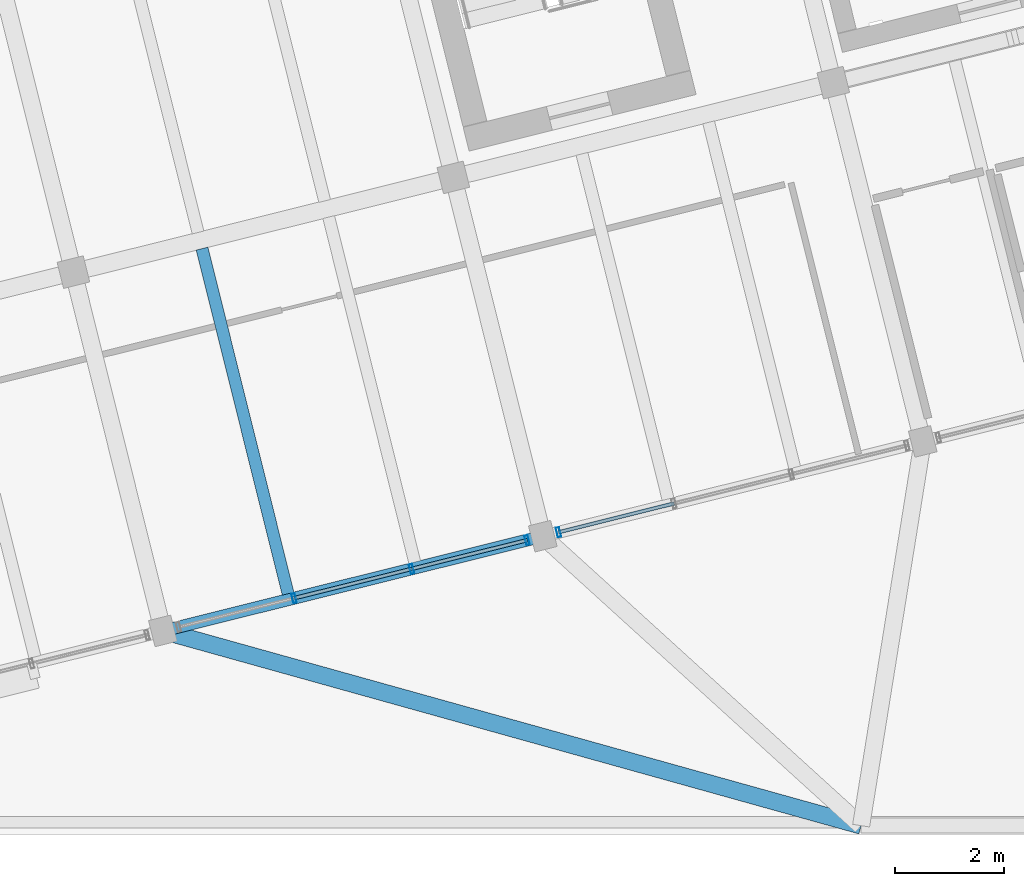
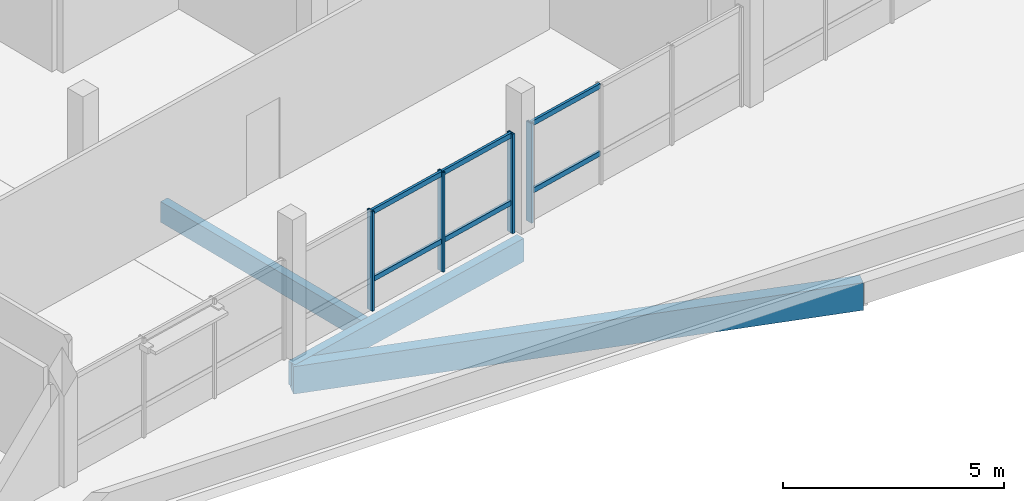
# One storey, part 6 of 37: 10 members, 3 beams, 2 elements without a shape of their own.
"""IFC4 building model written with IfcOpenShell, lengths in metres."""

import ifcopenshell
import ifcopenshell.guid

model = None  # the IFC model being written
_history = None  # IfcOwnerHistory: only IFC2X3 demands one
_inside = {}  # id of a spatial element -> (the spatial element, [elements in it])
_under = {}  # id of a project, library or spatial element -> (it, [spatial elements below it])
_declared = {}  # id of a project -> (the project, [libraries it declares])
_typed = {}  # id of a type object -> (the type object, [elements of that type])
_made_of = {}  # id of a material, layer set ... -> (it, [elements and type objects made of it])


def new_model(schema):
    """Start an empty IFC model of exactly this schema.

    Asked for "IFC4X3", IfcOpenShell would pick the latest addendum, in which some entities
    have other attributes; the version numbers below select the first issue.
    IFC2X3 requires an IfcOwnerHistory on every rooted entity: one is made here for all.
    """
    global model, _history
    if schema == "IFC4X3":
        model = ifcopenshell.file(schema_version=(4, 3, 0, 0))
    else:
        model = ifcopenshell.file(schema=schema)
    _inside.clear()
    _under.clear()
    _declared.clear()
    _typed.clear()
    _made_of.clear()
    _history = None
    if model.schema == "IFC2X3":
        org = make("IfcOrganization", Name="unknown")
        user = make(
            "IfcPersonAndOrganization",
            ThePerson=make("IfcPerson", FamilyName="unknown"),
            TheOrganization=org,
        )
        app = make(
            "IfcApplication",
            ApplicationDeveloper=org,
            Version="unknown",
            ApplicationFullName="unknown",
            ApplicationIdentifier="unknown",
        )
        _history = make(
            "IfcOwnerHistory",
            OwningUser=user,
            OwningApplication=app,
            ChangeAction="ADDED",
            CreationDate=0,
        )
    return model


def make(cls, **values):
    """One entity of the class cls with the attributes given. An attribute that is None is left unset."""
    return model.create_entity(
        cls, **{name: value for name, value in values.items() if value is not None}
    )


def rooted(cls, **values):
    """An entity with a GlobalId (a new one), such as an element, a storey or a relation."""
    return make(cls, GlobalId=ifcopenshell.guid.new(), OwnerHistory=_history, **values)


def si_unit(unit_type, name, prefix=None):
    """IfcSIUnit, for example si_unit("LENGTHUNIT", "METRE", prefix="MILLI")."""
    return make("IfcSIUnit", UnitType=unit_type, Prefix=prefix, Name=name)


def assignment(units):
    """IfcUnitAssignment: the units of a project."""
    return None if units is None else make("IfcUnitAssignment", Units=units)


def point(xyz):
    """IfcCartesianPoint."""
    return None if xyz is None else make("IfcCartesianPoint", Coordinates=xyz)


def direction(xyz):
    """IfcDirection."""
    return None if xyz is None else make("IfcDirection", DirectionRatios=xyz)


def frame(location, z_axis=None, x_axis=None):
    """IfcAxis2Placement3D, a coordinate frame: its origin and axes. An axis left out is left unset."""
    return make(
        "IfcAxis2Placement3D",
        Location=point(location),
        Axis=direction(z_axis),
        RefDirection=direction(x_axis),
    )


def frame_2d(location, x_axis=None):
    """IfcAxis2Placement2D, a coordinate frame in the plane: its origin and x axis."""
    return make(
        "IfcAxis2Placement2D", Location=point(location), RefDirection=direction(x_axis)
    )


def origin():
    """The frame at (0, 0, 0) with its axes left unset."""
    return frame((0.0, 0.0, 0.0))


def origin_2d():
    """The frame at (0, 0) in the plane with its x axis left unset."""
    return frame_2d((0.0, 0.0))


def place(relative_to, where):
    """IfcLocalPlacement: puts the frame where relative to a parent placement (None: the world)."""
    return make(
        "IfcLocalPlacement", PlacementRelTo=relative_to, RelativePlacement=where
    )


def context(
    kind, dimensions, precision=None, world=None, true_north=None, identifier=None
):
    """IfcGeometricRepresentationContext, for example the 3D "Model" context."""
    return make(
        "IfcGeometricRepresentationContext",
        ContextIdentifier=identifier,
        ContextType=kind,
        CoordinateSpaceDimension=dimensions,
        Precision=precision,
        WorldCoordinateSystem=world,
        TrueNorth=true_north,
    )


def subcontext(parent, identifier, kind, view, scale=None):
    """IfcGeometricRepresentationSubContext, for example "Body" below "Model"."""
    return make(
        "IfcGeometricRepresentationSubContext",
        ContextIdentifier=identifier,
        ContextType=kind,
        ParentContext=parent,
        TargetScale=scale,
        TargetView=view,
    )


def project(units=None, contexts=None):
    """IfcProject with its units and contexts."""
    return rooted(
        "IfcProject",
        Name="project",
        RepresentationContexts=contexts,
        UnitsInContext=assignment(units),
    )


def spatial(cls, under=None, at=None, **own):
    """A site, building, storey or space (cls), placed at a placement, below another one or the project."""
    s = rooted(cls, ObjectPlacement=at, **own)
    if under is not None:
        _under.setdefault(under.id(), (under, []))[1].append(s)
    return s


def profile(cls, at=None, kind="AREA", **sizes):
    """A parametric profile (cls). Its sizes go by their IFC names, for example OverallWidth=200.0."""
    return make(cls, ProfileType=kind, Position=at, **sizes)


def rectangle(**sizes):
    """IfcRectangleProfileDef."""
    return profile("IfcRectangleProfileDef", **sizes)


def hollow_rectangle(**sizes):
    """IfcRectangleHollowProfileDef."""
    return profile("IfcRectangleHollowProfileDef", **sizes)


def extrude(swept, where, along, depth):
    """IfcExtrudedAreaSolid: the profile swept, set in the frame where, extruded along a direction by depth."""
    return make(
        "IfcExtrudedAreaSolid",
        SweptArea=swept,
        Position=where,
        ExtrudedDirection=direction(along),
        Depth=depth,
    )


def shape(context_of_items, identifier, shape_type, items):
    """IfcShapeRepresentation: the items that make up one representation, for example the "Body"."""
    return make(
        "IfcShapeRepresentation",
        ContextOfItems=context_of_items,
        RepresentationIdentifier=identifier,
        RepresentationType=shape_type,
        Items=items,
    )


def material(Name=None, Category=None):
    """IfcMaterial."""
    return make("IfcMaterial", Name=Name, Category=Category)


def layer(
    of_material, thickness, ventilated=None, Name=None, Category=None, Priority=None
):
    """IfcMaterialLayer: one layer of a wall or slab, of a material (None: an air gap)."""
    return make(
        "IfcMaterialLayer",
        Material=of_material,
        LayerThickness=thickness,
        IsVentilated=ventilated,
        Name=Name,
        Category=Category,
        Priority=Priority,
    )


def layer_set(layers, Name=None):
    """IfcMaterialLayerSet."""
    return make("IfcMaterialLayerSet", MaterialLayers=layers, LayerSetName=Name)


def material_profile(
    of_material, cross_section, Name=None, Category=None, Priority=None
):
    """IfcMaterialProfile: a cross section and its material."""
    return make(
        "IfcMaterialProfile",
        Name=Name,
        Material=of_material,
        Profile=cross_section,
        Priority=Priority,
        Category=Category,
    )


def profile_set(profiles, Name=None, composite=None):
    """IfcMaterialProfileSet."""
    return make(
        "IfcMaterialProfileSet",
        Name=Name,
        MaterialProfiles=profiles,
        CompositeProfile=composite,
    )


def made_of(thing, what):
    """Note that an element or type object is made of a material, layer set ...; save() writes the relation."""
    if what is not None:
        _made_of.setdefault(what.id(), (what, []))[1].append(thing)
    return thing


def type_object(cls, material=None, **own):
    """A type object (cls), such as IfcWallType, which elements share."""
    return made_of(rooted(cls, **own), material)


def element(
    cls,
    number,
    at=None,
    inside=None,
    cuts=None,
    type_object=None,
    material=None,
    context=None,
    identifier="Body",
    shape_type=None,
    held_by="IfcProductDefinitionShape",
    body=None,
    shapes=None,
    **own,
):
    """One element of the class cls, such as IfcWall. Its Tag is "e" and its number.

    at: its placement. inside: the storey or other place that contains it. cuts: it is an
    opening in that element (IfcRelVoidsElement). A single representation is given by context,
    identifier, shape_type and body (its items); several are given by shapes. held_by: the class
    of the entity that holds the representations. save() writes the other relations.
    """
    e = rooted(cls, Tag="e%d" % number, ObjectPlacement=at, **own)
    if body is not None:
        shapes = [shape(context, identifier, shape_type, body)]
    if shapes is not None:
        e.Representation = make(held_by, Representations=shapes)
    if inside is not None:
        _inside.setdefault(inside.id(), (inside, []))[1].append(e)
    if cuts is not None:
        rooted(
            "IfcRelVoidsElement", RelatingBuildingElement=cuts, RelatedOpeningElement=e
        )
    if type_object is not None:
        _typed.setdefault(type_object.id(), (type_object, []))[1].append(e)
    return made_of(e, material)


def aggregate(whole, parts):
    """IfcRelAggregates: a whole, such as a stair, and the parts it consists of."""
    return rooted("IfcRelAggregates", RelatingObject=whole, RelatedObjects=parts)


def save(model, path):
    """Write the relations noted so far, then the file.

    IfcRelAggregates (storeys below a building ...), IfcRelContainedInSpatialStructure (elements
    in a storey), IfcRelDefinesByType, IfcRelAssociatesMaterial and IfcRelDeclares: one each for
    every whole, place, type object, material and project.
    """
    for whole, parts in _under.values():
        aggregate(whole, parts)
    for where, things in _inside.values():
        rooted(
            "IfcRelContainedInSpatialStructure",
            RelatedElements=things,
            RelatingStructure=where,
        )
    for kind, things in _typed.values():
        rooted("IfcRelDefinesByType", RelatedObjects=things, RelatingType=kind)
    for what, things in _made_of.values():
        rooted("IfcRelAssociatesMaterial", RelatedObjects=things, RelatingMaterial=what)
    for by, libraries in _declared.values():
        rooted("IfcRelDeclares", RelatingContext=by, RelatedDefinitions=libraries)
    model.write(path)


model = new_model("IFC4")

# Units and contexts
model_context = context("Model", 3, precision=1e-05, world=origin(), true_north=direction((0.0, 1.0)))
body_context = subcontext(model_context, "Body", "Model", "MODEL_VIEW")
ifc_project = project(units=[si_unit("LENGTHUNIT", "METRE"), si_unit("AREAUNIT", "SQUARE_METRE"), si_unit("VOLUMEUNIT", "CUBIC_METRE"), si_unit("PLANEANGLEUNIT", "RADIAN"), si_unit("MASSUNIT", "GRAM", prefix="KILO")], contexts=[model_context])

# Site, building, storey
site_placement = place(None, origin())
site = spatial("IfcSite", under=ifc_project, at=site_placement, CompositionType="ELEMENT")
building_placement = place(site_placement, origin())
building = spatial("IfcBuilding", under=site, at=building_placement, Name="Meriwether Solvik Hall", CompositionType="ELEMENT")
storey_placement = place(building_placement, frame((0.0, 0.0, 26.10009765625)))
storey = spatial("IfcBuildingStorey", under=building, at=storey_placement, Name="L06", CompositionType="ELEMENT", Elevation=26.10009765625)

# Beams
ifc_material_1 = material(Name="Glulam Douglas-Fir 24F-V8 GL28h", Category="wood")
ifc_material_profile_1 = material_profile(ifc_material_1, rectangle(XDim=0.221923828125, YDim=0.64501953125, at=origin_2d()), Name="GLB-222X645")
ifc_profile_set_1 = profile_set([ifc_material_profile_1], Name="Glulam Douglas-Fir 24F-V8 GL28h")
beam_type_1 = type_object("IfcBeamType", Name="BM-GL-222X645", PredefinedType="SPANDREL", material=ifc_profile_set_1)
beam_1_placement = place(storey_placement, frame((82.96044921875, 44.780517578125, -0.592529296875), z_axis=(0.970299871507, 0.241905269381, 0.0), x_axis=(-0.241905269381, 0.970299871507, 0.0)))
element("IfcBeam", 1, at=beam_1_placement, inside=storey, type_object=beam_type_1, Name="Tower Girder TA:T3-T4 (L06)", PredefinedType="SPANDREL", context=body_context, shape_type="SweptSolid", body=[
    extrude(rectangle(XDim=0.221923828125, YDim=0.64501953125, at=origin_2d()), origin(), (0.0, 0.0, 1.0), 7.199951171875),
])
ifc_material_2 = material(Name="Glulam Douglas-Fir 24F-V8 GL28h", Category="wood")
ifc_material_profile_2 = material_profile(ifc_material_2, rectangle(XDim=0.31494140625, YDim=0.760009765625, at=origin_2d()), Name="GLB-315X760")
ifc_profile_set_2 = profile_set([ifc_material_profile_2], Name="Glulam Douglas-Fir 24F-V8 GL28h")
beam_type_2 = type_object("IfcBeamType", Name="BM-GL-315X760", PredefinedType="BEAM", material=ifc_profile_set_2)
beam_2_placement = place(storey_placement, frame((82.96044921875, 44.780517578125, -0.650146484375), z_axis=(0.963246352106, -0.268619554676, 0.0), x_axis=(0.268619554676, 0.963246352106, 0.0)))
element("IfcBeam", 2, at=beam_2_placement, inside=storey, type_object=beam_type_2, Name="Diaphragm Collector Girder T3/TA-11/E (L06)", PredefinedType="BEAM", context=body_context, shape_type="SweptSolid", body=[
    extrude(rectangle(XDim=0.31494140625, YDim=0.760009765625, at=origin_2d()), origin(), (0.0, 0.0, 1.0), 13.32958984375),
])

# Curtain wall, members
ifc_material_3 = material(Name="Thermally Broken Anodised Aluminium 6063-T6 and Low-E Glass", Category="aluminium")
ifc_layer_1 = layer(ifc_material_3, 0.179931640625)
ifc_layer_set_1 = layer_set([ifc_layer_1], Name="Thermally Broken Anodised Aluminium 6063-T6 and Low-E Glass")
curtain_wall_type_1 = type_object("IfcCurtainWallType", Name="CW-UNIT-F", PredefinedType="USERDEFINED", material=ifc_layer_set_1)
curtain_wall_1_placement = place(storey_placement, origin())
curtain_wall_1 = element("IfcCurtainWall", 3, at=curtain_wall_1_placement, inside=storey, type_object=curtain_wall_type_1, Name="Curtain Wall E0_B2 (L06)", ObjectType="UNITISED CURTAIN WALL", PredefinedType="USERDEFINED")
ifc_material_4 = material(Name="Anodised Aluminium 6063-T6", Category="aluminium")
ifc_material_profile_3 = material_profile(ifc_material_4, hollow_rectangle(XDim=0.06494140625, YDim=0.179931640625, WallThickness=0.00439453125, at=origin_2d()), Name="CWM-65X180")
ifc_profile_set_3 = profile_set([ifc_material_profile_3], Name="Anodised Aluminium 6063-T6")
member_type_1 = type_object("IfcMemberType", Name="CW-MUL-65X180", PredefinedType="MULLION", material=ifc_profile_set_3)
member_1_placement = place(storey_placement, frame((89.657958984375, 46.4501953125, 0.0), z_axis=(0.0, 0.0, 1.0), x_axis=(-0.970295734974, -0.241921860714, 0.0)))
member_1 = element("IfcMember", 4, at=member_1_placement, type_object=member_type_1, Name="Curtain Wall Mullion 1", PredefinedType="MULLION", context=body_context, shape_type="SweptSolid", body=[
    extrude(hollow_rectangle(XDim=0.06494140625, YDim=0.179931640625, WallThickness=0.00439453125, at=origin_2d()), origin(), (0.0, 0.0, 1.0), 2.75),
])
member_2_placement = place(storey_placement, frame((87.533935546875, 45.920654296875, 0.0), z_axis=(0.0, 0.0, 1.0), x_axis=(-0.970295734974, -0.241921860714, 0.0)))
member_2 = element("IfcMember", 5, at=member_2_placement, type_object=member_type_1, Name="Curtain Wall Mullion 2", PredefinedType="MULLION", context=body_context, shape_type="SweptSolid", body=[
    extrude(hollow_rectangle(XDim=0.06494140625, YDim=0.179931640625, WallThickness=0.00439453125, at=origin_2d()), origin(), (0.0, 0.0, 1.0), 2.75),
])
member_3_placement = place(storey_placement, frame((85.373046875, 45.382080078125, 0.0), z_axis=(0.0, 0.0, 1.0), x_axis=(-0.970295734974, -0.241921860714, 0.0)))
member_3 = element("IfcMember", 6, at=member_3_placement, type_object=member_type_1, Name="Curtain Wall Mullion 3", PredefinedType="MULLION", context=body_context, shape_type="SweptSolid", body=[
    extrude(hollow_rectangle(XDim=0.06494140625, YDim=0.179931640625, WallThickness=0.00439453125, at=origin_2d()), origin(), (0.0, 0.0, 1.0), 2.75),
])

# Curtain wall, member
ifc_material_5 = material(Name="Thermally Broken Anodised Aluminium 6063-T6 and Low-E Glass", Category="aluminium")
ifc_layer_2 = layer(ifc_material_5, 0.179931640625)
ifc_layer_set_2 = layer_set([ifc_layer_2], Name="Thermally Broken Anodised Aluminium 6063-T6 and Low-E Glass")
curtain_wall_type_2 = type_object("IfcCurtainWallType", Name="CW-UNIT-G", PredefinedType="USERDEFINED", material=ifc_layer_set_2)
curtain_wall_2_placement = place(storey_placement, origin())
curtain_wall_2 = element("IfcCurtainWall", 7, at=curtain_wall_2_placement, inside=storey, type_object=curtain_wall_type_2, Name="Curtain Wall E0_B3 (L06)", ObjectType="UNITISED CURTAIN WALL", PredefinedType="USERDEFINED")
member_4_placement = place(storey_placement, frame((90.235107421875, 46.59423828125, 0.0), z_axis=(0.0, 0.0, 1.0), x_axis=(-0.970295691079, -0.241922036769, 0.0)))
member_4 = element("IfcMember", 8, at=member_4_placement, type_object=member_type_1, Name="Curtain Wall Mullion 4", PredefinedType="MULLION", context=body_context, shape_type="SweptSolid", body=[
    extrude(hollow_rectangle(XDim=0.06494140625, YDim=0.179931640625, WallThickness=0.00439453125, at=origin_2d()), origin(), (0.0, 0.0, 1.0), 2.75),
])

# Member
ifc_material_6 = material(Name="Anodised Aluminium 6063-T6", Category="aluminium")
ifc_material_profile_4 = material_profile(ifc_material_6, hollow_rectangle(XDim=0.06494140625, YDim=0.139892578125, WallThickness=0.00439453125, at=origin_2d()), Name="CWT-65X140")
ifc_profile_set_4 = profile_set([ifc_material_profile_4], Name="Anodised Aluminium 6063-T6")
member_type_2 = type_object("IfcMemberType", Name="CW-TRN-65X140", PredefinedType="USERDEFINED", material=ifc_profile_set_4)
member_5_placement = place(storey_placement, frame((89.657958984375, 46.4501953125, 0.824951171875), z_axis=(-0.970299748003, -0.241905764761, 0.0), x_axis=(0.241905764761, -0.970299748003, 0.0)))
member_5 = element("IfcMember", 9, at=member_5_placement, type_object=member_type_2, Name="Curtain Wall Transom 1-sill", ObjectType="TRANSOM", PredefinedType="USERDEFINED", context=body_context, shape_type="SweptSolid", body=[
    extrude(hollow_rectangle(XDim=0.06494140625, YDim=0.139892578125, WallThickness=0.00439453125, at=origin_2d()), origin(), (0.0, 0.0, 1.0), 2.18896484375),
])

member_6_placement = place(storey_placement, frame((89.657958984375, 46.4501953125, 2.68994140625), z_axis=(-0.970299748003, -0.241905764761, 0.0), x_axis=(0.241905764761, -0.970299748003, 0.0)))
member_6 = element("IfcMember", 10, at=member_6_placement, type_object=member_type_2, Name="Curtain Wall Transom 1-head", ObjectType="TRANSOM", PredefinedType="USERDEFINED", context=body_context, shape_type="SweptSolid", body=[
    extrude(hollow_rectangle(XDim=0.06494140625, YDim=0.139892578125, WallThickness=0.00439453125, at=origin_2d()), origin(), (0.0, 0.0, 1.0), 2.18896484375),
])

member_7_placement = place(storey_placement, frame((87.533935546875, 45.920654296875, 0.824951171875), z_axis=(-0.970316365021, -0.241839103066, 0.0), x_axis=(0.241839103066, -0.970316365021, 0.0)))
member_7 = element("IfcMember", 11, at=member_7_placement, type_object=member_type_2, Name="Curtain Wall Transom 2-sill", ObjectType="TRANSOM", PredefinedType="USERDEFINED", context=body_context, shape_type="SweptSolid", body=[
    extrude(hollow_rectangle(XDim=0.06494140625, YDim=0.139892578125, WallThickness=0.00439453125, at=origin_2d()), origin(), (0.0, 0.0, 1.0), 2.22705078125),
])

member_8_placement = place(storey_placement, frame((87.533935546875, 45.920654296875, 2.68994140625), z_axis=(-0.970316365021, -0.241839103066, 0.0), x_axis=(0.241839103066, -0.970316365021, 0.0)))
member_8 = element("IfcMember", 12, at=member_8_placement, type_object=member_type_2, Name="Curtain Wall Transom 2-head", ObjectType="TRANSOM", PredefinedType="USERDEFINED", context=body_context, shape_type="SweptSolid", body=[
    extrude(hollow_rectangle(XDim=0.06494140625, YDim=0.139892578125, WallThickness=0.00439453125, at=origin_2d()), origin(), (0.0, 0.0, 1.0), 2.22705078125),
])

aggregate(curtain_wall_1, [member_1, member_2, member_3, member_5, member_6, member_7, member_8])

member_9_placement = place(storey_placement, frame((92.359130859375, 47.123779296875, 0.824951171875), z_axis=(-0.970299748003, -0.241905764761, 0.0), x_axis=(0.241905764761, -0.970299748003, 0.0)))
member_9 = element("IfcMember", 13, at=member_9_placement, type_object=member_type_2, Name="Curtain Wall Transom 3-sill", ObjectType="TRANSOM", PredefinedType="USERDEFINED", context=body_context, shape_type="SweptSolid", body=[
    extrude(hollow_rectangle(XDim=0.06494140625, YDim=0.139892578125, WallThickness=0.00439453125, at=origin_2d()), origin(), (0.0, 0.0, 1.0), 2.18896484375),
])

member_10_placement = place(storey_placement, frame((92.359130859375, 47.123779296875, 2.68994140625), z_axis=(-0.970299748003, -0.241905764761, 0.0), x_axis=(0.241905764761, -0.970299748003, 0.0)))
member_10 = element("IfcMember", 14, at=member_10_placement, type_object=member_type_2, Name="Curtain Wall Transom 3-head", ObjectType="TRANSOM", PredefinedType="USERDEFINED", context=body_context, shape_type="SweptSolid", body=[
    extrude(hollow_rectangle(XDim=0.06494140625, YDim=0.139892578125, WallThickness=0.00439453125, at=origin_2d()), origin(), (0.0, 0.0, 1.0), 2.18896484375),
])

aggregate(curtain_wall_2, [member_4, member_9, member_10])

# Beam
ifc_material_7 = material(Name="Glulam Douglas-Fir 24F-V8 GL28h", Category="wood")
ifc_material_profile_5 = material_profile(ifc_material_7, rectangle(XDim=0.221923828125, YDim=0.570068359375, at=origin_2d()), Name="GLJ-222X570")
ifc_profile_set_5 = profile_set([ifc_material_profile_5], Name="Glulam Douglas-Fir 24F-V8 GL28h")
beam_type_3 = type_object("IfcBeamType", Name="JST-GL-222X570", PredefinedType="JOIST", material=ifc_profile_set_5)
beam_3_placement = place(storey_placement, frame((85.263427734375, 45.4638671875, -0.55517578125), z_axis=(-0.241920861923, 0.970295984, 0.0), x_axis=(-0.970295984, -0.241920861923, 0.0)))
element("IfcBeam", 15, at=beam_3_placement, inside=storey, type_object=beam_type_3, Name="Glulam Floor Joist T3/TA-J1 (L06)", PredefinedType="JOIST", context=body_context, shape_type="SweptSolid", body=[
    extrude(rectangle(XDim=0.221923828125, YDim=0.570068359375, at=origin_2d()), origin(), (0.0, 0.0, 1.0), 6.54150390625),
])

save(model, "model.ifc")
